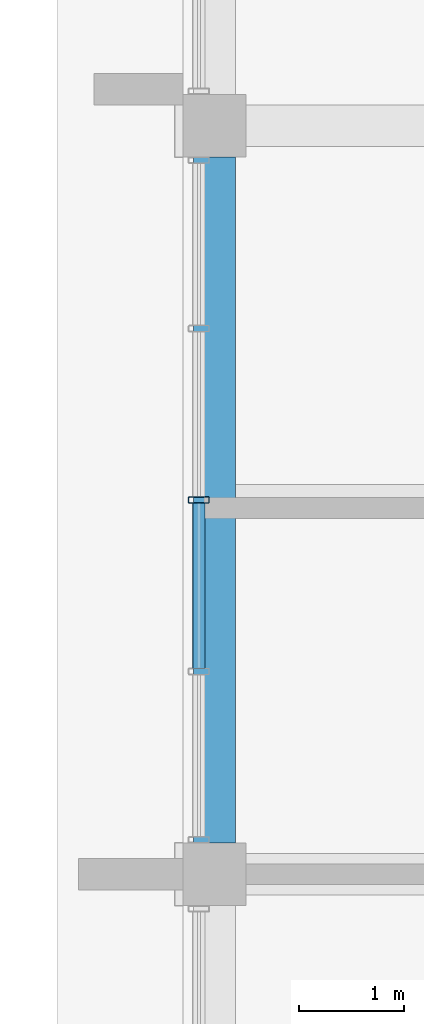
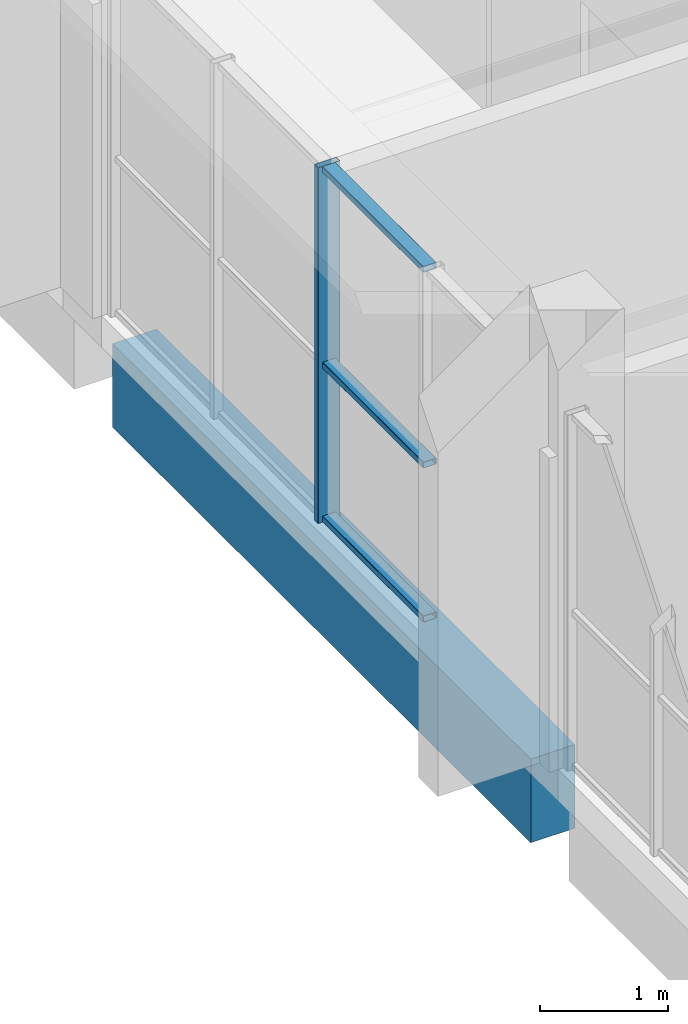
# One storey, part 14 of 42: 4 members, 1 beam, 1 element without a shape of its own.
"""IFC4 building model written with IfcOpenShell, lengths in metres."""

from ifc_helpers import new_model, si_unit, direction, frame, origin, origin_2d, place, context, subcontext, project, spatial, rectangle, hollow_rectangle, extrude, material, material_profile, profile_set, type_object, element, aggregate, save


model = new_model("IFC4")

# Units and contexts
model_context = context("Model", 3, precision=1e-05, world=origin(), true_north=direction((0.0, 1.0)))
body_context = subcontext(model_context, "Body", "Model", "MODEL_VIEW")
ifc_project = project(units=[si_unit("LENGTHUNIT", "METRE"), si_unit("AREAUNIT", "SQUARE_METRE"), si_unit("VOLUMEUNIT", "CUBIC_METRE"), si_unit("PLANEANGLEUNIT", "RADIAN"), si_unit("MASSUNIT", "GRAM", prefix="KILO")], contexts=[model_context])

# Site, building, storey
site_placement = place(None, origin())
site = spatial("IfcSite", under=ifc_project, at=site_placement, CompositionType="ELEMENT")
building_placement = place(site_placement, origin())
building = spatial("IfcBuilding", under=site, at=building_placement, Name="Sun Court Science Centre", CompositionType="ELEMENT")
storey_placement = place(building_placement, frame((0.0, 0.0, 20.25)))
storey = spatial("IfcBuildingStorey", under=building, at=storey_placement, Name="L04", CompositionType="ELEMENT", Elevation=20.25)

# Curtain wall, members
ifc_material_1 = material(Name="Aluminium EN AW-6063 T6", Category="aluminium")
curtain_wall_type = type_object("IfcCurtainWallType", Name="Laboratory tall bay curtain wall 1500", PredefinedType="NOTDEFINED", material=ifc_material_1)
curtain_wall_placement = place(storey_placement, origin())
curtain_wall = element("IfcCurtainWall", 1, at=curtain_wall_placement, inside=storey, type_object=curtain_wall_type, Name="Curtain wall V4 W L04 06", PredefinedType="NOTDEFINED")
ifc_material_2 = material(Name="Aluminium EN AW-6063 T6", Category="aluminium")
ifc_material_profile_1 = material_profile(ifc_material_2, hollow_rectangle(XDim=0.06005859375, YDim=0.199951171875, WallThickness=0.0048828125, InnerFilletRadius=0.0048828125, OuterFilletRadius=0.007568359375, at=origin_2d()), Name="AL 60x200x5")
ifc_profile_set_1 = profile_set([ifc_material_profile_1], Name="Aluminium EN AW-6063 T6")
member_type_1 = type_object("IfcMemberType", Name="Curtain wall mullion AL 60x200", PredefinedType="MULLION", material=ifc_profile_set_1)
member_1_placement = place(storey_placement, frame((78.14990234375, 69.574951171875, 0.0), z_axis=(0.0, 0.0, 1.0), x_axis=(0.0, 1.0, 0.0)))
member_1 = element("IfcMember", 2, at=member_1_placement, type_object=member_type_1, Name="CW2-42 mullion 3", PredefinedType="MULLION", context=body_context, shape_type="SweptSolid", body=[
    extrude(hollow_rectangle(XDim=0.06005859375, YDim=0.199951171875, WallThickness=0.0048828125, InnerFilletRadius=0.0048828125, OuterFilletRadius=0.007568359375, at=origin_2d()), origin(), (0.0, 0.0, 1.0), 3.39990234375),
])
ifc_material_3 = material(Name="Aluminium EN AW-6063 T6", Category="aluminium")
ifc_material_profile_2 = material_profile(ifc_material_3, hollow_rectangle(XDim=0.06005859375, YDim=0.1201171875, WallThickness=0.00390625, InnerFilletRadius=0.00390625, OuterFilletRadius=0.006103515625, at=origin_2d()), Name="AL 60x120x4")
ifc_profile_set_2 = profile_set([ifc_material_profile_2], Name="Aluminium EN AW-6063 T6")
member_type_2 = type_object("IfcMemberType", Name="Curtain wall transom AL 60x120", PredefinedType="USERDEFINED", material=ifc_profile_set_2)
member_2_placement = place(storey_placement, frame((78.14990234375, 67.967529296875, 0.030029296875), z_axis=(0.0, 1.0, 0.0), x_axis=(0.0, 0.0, 1.0)))
member_2 = element("IfcMember", 3, at=member_2_placement, type_object=member_type_2, Name="CW2-42 transom 2.1", ObjectType="TRANSOM", PredefinedType="USERDEFINED", context=body_context, shape_type="SweptSolid", body=[
    extrude(hollow_rectangle(XDim=0.06005859375, YDim=0.1201171875, WallThickness=0.00390625, InnerFilletRadius=0.00390625, OuterFilletRadius=0.006103515625, at=origin_2d()), origin(), (0.0, 0.0, 1.0), 1.577392578125),
])
member_3_placement = place(storey_placement, frame((78.14990234375, 67.967529296875, 1.5), z_axis=(0.0, 1.0, 0.0), x_axis=(0.0, 0.0, 1.0)))
member_3 = element("IfcMember", 4, at=member_3_placement, type_object=member_type_2, Name="CW2-42 transom 2.2", ObjectType="TRANSOM", PredefinedType="USERDEFINED", context=body_context, shape_type="SweptSolid", body=[
    extrude(hollow_rectangle(XDim=0.06005859375, YDim=0.1201171875, WallThickness=0.00390625, InnerFilletRadius=0.00390625, OuterFilletRadius=0.006103515625, at=origin_2d()), origin(), (0.0, 0.0, 1.0), 1.577392578125),
])
member_4_placement = place(storey_placement, frame((78.14990234375, 67.967529296875, 3.3701171875), z_axis=(0.0, 1.0, 0.0), x_axis=(0.0, 0.0, 1.0)))
member_4 = element("IfcMember", 5, at=member_4_placement, type_object=member_type_2, Name="CW2-42 transom 2.3", ObjectType="TRANSOM", PredefinedType="USERDEFINED", context=body_context, shape_type="SweptSolid", body=[
    extrude(hollow_rectangle(XDim=0.06005859375, YDim=0.1201171875, WallThickness=0.00390625, InnerFilletRadius=0.00390625, OuterFilletRadius=0.006103515625, at=origin_2d()), origin(), (0.0, 0.0, 1.0), 1.577392578125),
])
aggregate(curtain_wall, [member_1, member_2, member_3, member_4])

# Beam
ifc_material_4 = material(Name="Concrete C25/30", Category="concrete")
ifc_material_profile_3 = material_profile(ifc_material_4, rectangle(XDim=0.39990234375, YDim=0.800048828125, at=origin_2d()), Name="RC 400x800")
ifc_profile_set_3 = profile_set([ifc_material_profile_3], Name="Concrete C25/30")
beam_type = type_object("IfcBeamType", Name="RC girder 400x800", PredefinedType="BEAM", material=ifc_profile_set_3)
beam_placement = place(storey_placement, frame((78.300048828125, 66.300048828125, -0.699951171875), z_axis=(0.0, 1.0, 0.0), x_axis=(-1.0, 0.0, 0.0)))
element("IfcBeam", 6, at=beam_placement, inside=storey, type_object=beam_type, Name="Girder L04 line 1", PredefinedType="BEAM", context=body_context, shape_type="SweptSolid", body=[
    extrude(rectangle(XDim=0.39990234375, YDim=0.800048828125, at=origin_2d()), origin(), (0.0, 0.0, 1.0), 6.550048828125),
])

save(model, "model.ifc")
